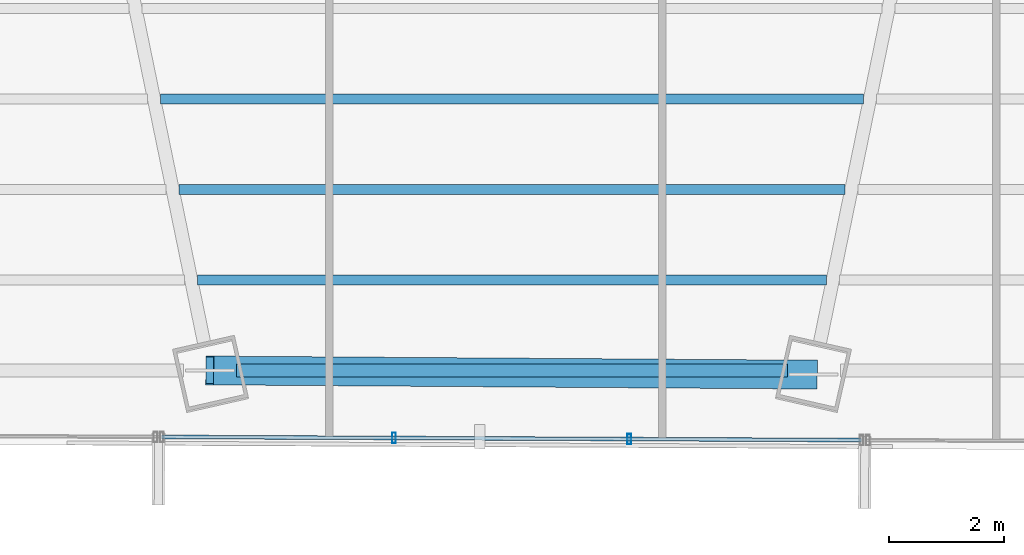
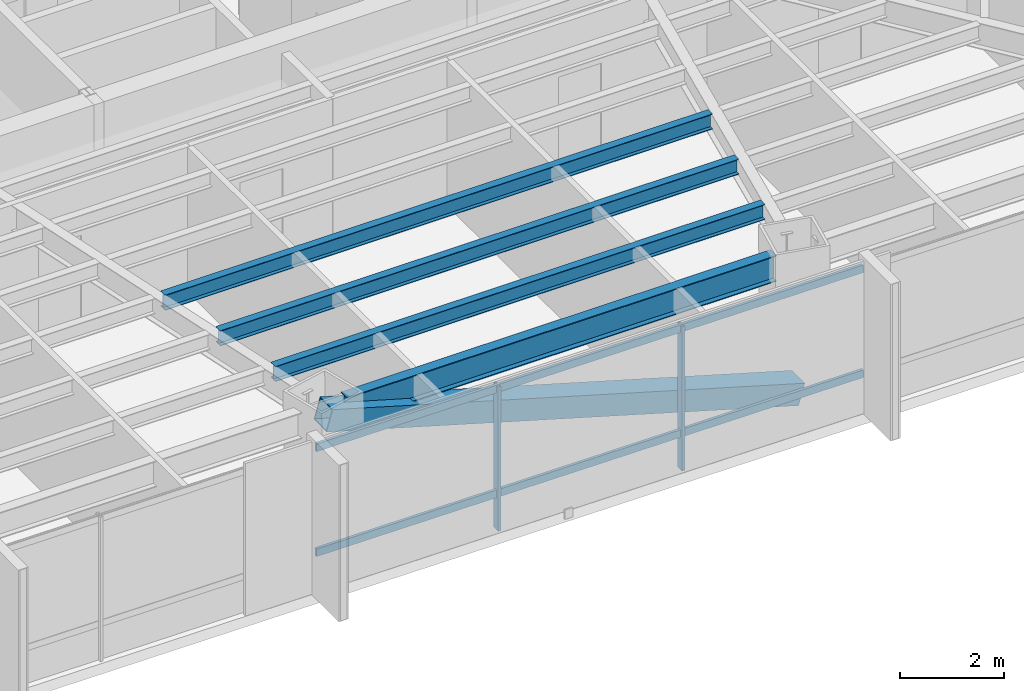
# One storey, part 9 of 37: 5 members, 4 beams, 1 element without a shape of its own.
"""IFC4 building model written with IfcOpenShell, lengths in metres."""

from ifc_helpers import new_model, si_unit, direction, frame, origin, origin_2d, place, context, subcontext, project, spatial, hollow_rectangle, i_section, extrude, source, transform, mapped, material, material_profile, profile_set, type_object, type_shapes, element, aggregate, save


model = new_model("IFC4")

# Units and contexts
model_context = context("Model", 3, precision=1e-05, world=origin(), true_north=direction((0.0, 1.0)))
body_context = subcontext(model_context, "Body", "Model", "MODEL_VIEW")
ifc_project = project(units=[si_unit("LENGTHUNIT", "METRE"), si_unit("AREAUNIT", "SQUARE_METRE"), si_unit("VOLUMEUNIT", "CUBIC_METRE"), si_unit("PLANEANGLEUNIT", "RADIAN"), si_unit("MASSUNIT", "GRAM", prefix="KILO")], contexts=[model_context])

# Site, building, storey
site_placement = place(None, origin())
site = spatial("IfcSite", under=ifc_project, at=site_placement, CompositionType="ELEMENT")
building_placement = place(site_placement, origin())
building = spatial("IfcBuilding", under=site, at=building_placement, Name="Caelisora Broadcast Tower", CompositionType="ELEMENT")
storey_placement = place(building_placement, frame((0.0, 0.0, 105.39990234375)))
storey = spatial("IfcBuildingStorey", under=building, at=storey_placement, Name="L27", CompositionType="ELEMENT", Elevation=105.39990234375)

# Beams
ifc_material_1 = material(Name="Steel Grade 350 (AS/NZS 3679.1)", Category="steel")
ifc_material_profile_1 = material_profile(ifc_material_1, i_section(OverallWidth=0.22900390625, OverallDepth=0.611572265625, WebThickness=0.011962890625, FlangeThickness=0.01953125, at=origin_2d()), Name="Steel Grade 350 (AS/NZS 3679.1)")
ifc_profile_set_1 = profile_set([ifc_material_profile_1], Name="Steel Grade 350 (AS/NZS 3679.1)")
beam_type_1 = type_object("IfcBeamType", Name="PG03", PredefinedType="BEAM", material=ifc_profile_set_1)
shared_shape_1 = source(origin(), body_context, "Body", "SweptSolid", [
    extrude(i_section(OverallWidth=0.22900390625, OverallDepth=0.611572265625, WebThickness=0.011962890625, FlangeThickness=0.01953125, at=origin_2d()), origin(), (0.0, 0.0, 1.0), 9.56640625),
])
type_shapes(beam_type_1, [shared_shape_1])
beam_1_placement = place(storey_placement, frame((33.216796875, 6.413330078125, 3.09423828125), z_axis=(1.0, 0.0, 0.0), x_axis=(0.0, 1.0, 0.0)))
element("IfcBeam", 1, at=beam_1_placement, inside=storey, type_object=beam_type_1, Name="L27 beam PG03", PredefinedType="BEAM", context=body_context, shape_type="MappedRepresentation", body=[
    mapped(shared_shape_1, transform((0.0, 0.0, 0.0), scale=1.0)),
])
ifc_material_profile_2 = material_profile(ifc_material_1, i_section(OverallWidth=0.172119140625, OverallDepth=0.358642578125, WebThickness=0.008056640625, FlangeThickness=0.012939453125, at=origin_2d()), Name="Steel Grade 350 (AS/NZS 3679.1)")
ifc_profile_set_2 = profile_set([ifc_material_profile_2], Name="Steel Grade 350 (AS/NZS 3679.1)")
beam_type_2 = type_object("IfcBeamType", Name="SB02", PredefinedType="JOIST", material=ifc_profile_set_2)
shared_shape_2 = source(origin(), body_context, "Body", "SweptSolid", [
    extrude(i_section(OverallWidth=0.172119140625, OverallDepth=0.358642578125, WebThickness=0.008056640625, FlangeThickness=0.012939453125, at=origin_2d()), origin(), (0.0, 0.0, 1.0), 12.19384765625),
])
beam_2_placement = place(storey_placement, frame((31.903076171875, 11.121826171875, 3.220703125), z_axis=(1.0, 0.0, 0.0), x_axis=(0.0, 1.0, 0.0)))
element("IfcBeam", 2, at=beam_2_placement, inside=storey, type_object=beam_type_2, Name="L27 beam SB02", PredefinedType="JOIST", context=body_context, shape_type="MappedRepresentation", body=[
    mapped(shared_shape_2, transform((0.0, 0.0, 0.0), scale=1.0)),
])
shared_shape_3 = source(origin(), body_context, "Body", "SweptSolid", [
    extrude(i_section(OverallWidth=0.172119140625, OverallDepth=0.358642578125, WebThickness=0.008056640625, FlangeThickness=0.012939453125, at=origin_2d()), origin(), (0.0, 0.0, 1.0), 11.548828125),
])
beam_3_placement = place(storey_placement, frame((32.2255859375, 9.552490234375, 3.220703125), z_axis=(1.0, 0.0, 0.0), x_axis=(0.0, 1.0, 0.0)))
element("IfcBeam", 3, at=beam_3_placement, inside=storey, type_object=beam_type_2, Name="L27 beam SB02", PredefinedType="JOIST", context=body_context, shape_type="MappedRepresentation", body=[
    mapped(shared_shape_3, transform((0.0, 0.0, 0.0), scale=1.0)),
])
shared_shape_4 = source(origin(), body_context, "Body", "SweptSolid", [
    extrude(i_section(OverallWidth=0.172119140625, OverallDepth=0.358642578125, WebThickness=0.008056640625, FlangeThickness=0.012939453125, at=origin_2d()), origin(), (0.0, 0.0, 1.0), 10.904296875),
])
type_shapes(beam_type_2, [shared_shape_2, shared_shape_3, shared_shape_4])
beam_4_placement = place(storey_placement, frame((32.5478515625, 7.98291015625, 3.220703125), z_axis=(1.0, 0.0, 0.0), x_axis=(0.0, 1.0, 0.0)))
element("IfcBeam", 4, at=beam_4_placement, inside=storey, type_object=beam_type_2, Name="L27 beam SB02", PredefinedType="JOIST", context=body_context, shape_type="MappedRepresentation", body=[
    mapped(shared_shape_4, transform((0.0, 0.0, 0.0), scale=1.0)),
])

# Member
ifc_material_2 = material(Name="Steel Grade 450 L15 (AS/NZS 3678)", Category="steel")
ifc_material_profile_3 = material_profile(ifc_material_2, hollow_rectangle(XDim=0.5, YDim=0.5, WallThickness=0.02001953125, at=origin_2d()), Name="Steel Grade 450 L15 (AS/NZS 3678)")
ifc_profile_set_3 = profile_set([ifc_material_profile_3], Name="Steel Grade 450 L15 (AS/NZS 3678)")
member_type_1 = type_object("IfcMemberType", Name="BR02", PredefinedType="BRACE", material=ifc_profile_set_3)
shared_shape_5 = source(origin(), body_context, "Body", "SweptSolid", [
    extrude(hollow_rectangle(XDim=0.5, YDim=0.5, WallThickness=0.02001953125, at=origin_2d()), origin(), (0.0, 0.0, 1.0), 10.8916015625),
])
type_shapes(member_type_1, [shared_shape_5])
member_1_placement = place(storey_placement, frame((32.7568359375, 6.413330078125, 3.10009765625), z_axis=(0.96129442197, -0.006635027373, -0.275443298523), x_axis=(0.006902015845, 0.999976180805, 0.0)))
element("IfcMember", 5, at=member_1_placement, inside=storey, type_object=member_type_1, Name="L27 perimeter brace BR02", PredefinedType="BRACE", context=body_context, shape_type="MappedRepresentation", body=[
    mapped(shared_shape_5, transform((0.0, 0.0, 0.0), scale=1.0)),
])

# Curtain wall, members
ifc_material_3 = material(Name="Unitised Aluminium Insulated Shadow-Box Spandrel Curtain Wall", Category="aluminium")
curtain_wall_type = type_object("IfcCurtainWallType", Name="CW-SP1", PredefinedType="NOTDEFINED", material=ifc_material_3)
curtain_wall_placement = place(storey_placement, origin())
curtain_wall = element("IfcCurtainWall", 6, at=curtain_wall_placement, inside=storey, type_object=curtain_wall_type, Name="L27 curtain wall CW-SP1", PredefinedType="NOTDEFINED")
ifc_material_4 = material(Name="Aluminium 6063-T6 Anodised Terracotta Bronze", Category="aluminium")
ifc_material_profile_4 = material_profile(ifc_material_4, hollow_rectangle(XDim=0.06494140625, YDim=0.179931640625, WallThickness=0.00341796875, at=origin_2d()), Name="Aluminium 6063-T6 Anodised Terracotta Bronze")
ifc_profile_set_4 = profile_set([ifc_material_profile_4], Name="Aluminium 6063-T6 Anodised Terracotta Bronze")
member_type_2 = type_object("IfcMemberType", Name="CWM-02", PredefinedType="MULLION", material=ifc_profile_set_4)
shared_shape_6 = source(origin(), body_context, "Body", "SweptSolid", [
    extrude(hollow_rectangle(XDim=0.06494140625, YDim=0.179931640625, WallThickness=0.00341796875, at=origin_2d()), origin(), (0.0, 0.0, 1.0), 3.400146484375),
])
type_shapes(member_type_2, [shared_shape_6])
member_2_placement = place(storey_placement, frame((40.035400390625, 5.22314453125, 0.0), z_axis=(0.0, 0.0, 1.0), x_axis=(1.0, 0.0, 0.0)))
member_2 = element("IfcMember", 7, at=member_2_placement, type_object=member_type_2, Name="L27-CW-B06 mullion #1", PredefinedType="MULLION", context=body_context, shape_type="MappedRepresentation", body=[
    mapped(shared_shape_6, transform((0.0, 0.0, 0.0), scale=1.0)),
])
member_3_placement = place(storey_placement, frame((35.954345703125, 5.24169921875, 0.0), z_axis=(0.0, 0.0, 1.0), x_axis=(1.0, 0.0, 0.0)))
member_3 = element("IfcMember", 8, at=member_3_placement, type_object=member_type_2, Name="L27-CW-B06 mullion #2", PredefinedType="MULLION", context=body_context, shape_type="MappedRepresentation", body=[
    mapped(shared_shape_6, transform((0.0, 0.0, 0.0), scale=1.0)),
])
ifc_material_profile_5 = material_profile(ifc_material_4, hollow_rectangle(XDim=0.06494140625, YDim=0.179931640625, WallThickness=0.00341796875, at=origin_2d()), Name="Aluminium 6063-T6 Anodised Terracotta Bronze")
ifc_profile_set_5 = profile_set([ifc_material_profile_5], Name="Aluminium 6063-T6 Anodised Terracotta Bronze")
member_type_3 = type_object("IfcMemberType", Name="CWT-01", PredefinedType="USERDEFINED", material=ifc_profile_set_5)
shared_shape_7 = source(origin(), body_context, "Body", "SweptSolid", [
    extrude(hollow_rectangle(XDim=0.06494140625, YDim=0.179931640625, WallThickness=0.00341796875, at=origin_2d()), origin(), (0.0, 0.0, 1.0), 12.143310546875),
])
type_shapes(member_type_3, [shared_shape_7])
member_4_placement = place(storey_placement, frame((44.06640625, 5.20458984375, 0.85009765625), z_axis=(-0.999989401182, 0.00460407682, 0.0), x_axis=(-0.00460407682, -0.999989401182, 0.0)))
member_4 = element("IfcMember", 9, at=member_4_placement, type_object=member_type_3, Name="L27-CW-B06 transom #1", ObjectType="TRANSOM", PredefinedType="USERDEFINED", context=body_context, shape_type="MappedRepresentation", body=[
    mapped(shared_shape_7, transform((0.0, 0.0, 0.0), scale=1.0)),
])
member_5_placement = place(storey_placement, frame((44.06640625, 5.20458984375, 3.320068359375), z_axis=(-0.999989401182, 0.00460407682, 0.0), x_axis=(-0.00460407682, -0.999989401182, 0.0)))
member_5 = element("IfcMember", 10, at=member_5_placement, type_object=member_type_3, Name="L27-CW-B06 transom #2", ObjectType="TRANSOM", PredefinedType="USERDEFINED", context=body_context, shape_type="MappedRepresentation", body=[
    mapped(shared_shape_7, transform((0.0, 0.0, 0.0), scale=1.0)),
])
aggregate(curtain_wall, [member_2, member_3, member_4, member_5])

save(model, "model.ifc")
